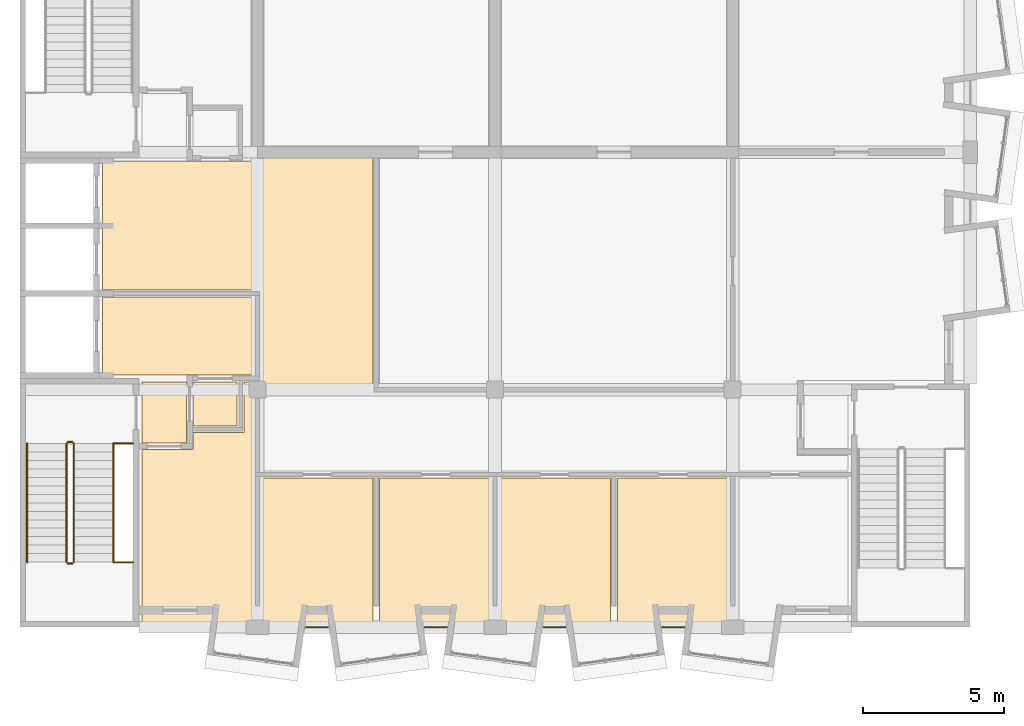
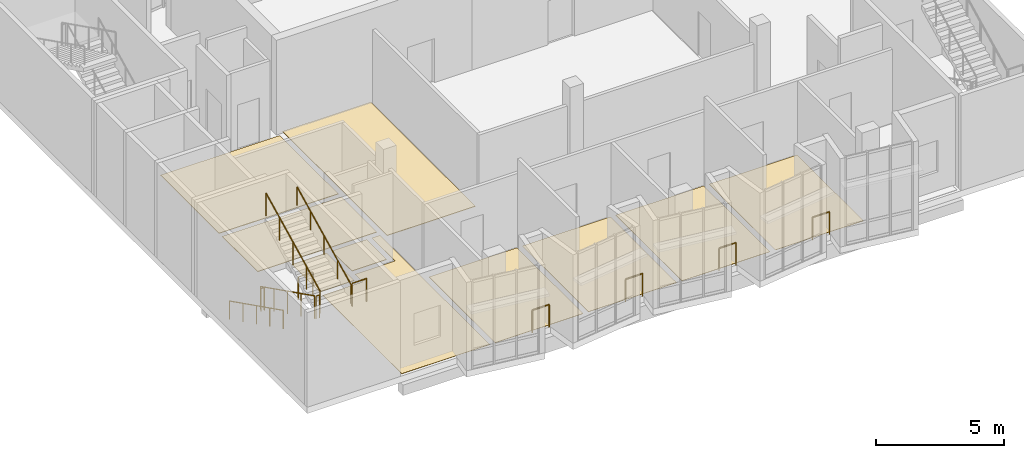
# One storey, part 15 of 19: 12 railings, 10 coverings.
"""IFC4 building model written with IfcOpenShell, lengths in metres."""

from ifc_helpers import new_model, si_unit, direction, frame, origin, origin_2d, place, context, subcontext, project, spatial, polyline, circle, outline, extrude, material, layer, layer_set, type_object, element, save


model = new_model("IFC4")

# Units and contexts
model_context = context("Model", 3, precision=1e-05, world=origin(), true_north=direction((0.0, 1.0)))
body_context = subcontext(model_context, "Body", "Model", "MODEL_VIEW")
ifc_project = project(units=[si_unit("LENGTHUNIT", "METRE"), si_unit("AREAUNIT", "SQUARE_METRE"), si_unit("VOLUMEUNIT", "CUBIC_METRE"), si_unit("PLANEANGLEUNIT", "RADIAN"), si_unit("MASSUNIT", "GRAM", prefix="KILO")], contexts=[model_context])

# Site, building, storey
site_placement = place(None, origin())
site = spatial("IfcSite", under=ifc_project, at=site_placement, CompositionType="ELEMENT")
building_placement = place(site_placement, origin())
building = spatial("IfcBuilding", under=site, at=building_placement, Name="Kiln Court Media Centre", CompositionType="ELEMENT")
storey_placement = place(building_placement, frame((0.0, 0.0, 29.10009765625)))
storey = spatial("IfcBuildingStorey", under=building, at=storey_placement, Name="L06", CompositionType="ELEMENT", Elevation=29.10009765625)

# Coverings
ifc_material_1 = material(Name="Carpet tile")
ifc_layer_1 = layer(ifc_material_1, 0.014892578125)
ifc_layer_set_1 = layer_set([ifc_layer_1], Name="Carpet tile floor finish 15")
covering_type_1 = type_object("IfcCoveringType", Name="Carpet tile floor finish 15", PredefinedType="FLOORING", material=ifc_layer_set_1)
covering_1_placement = place(storey_placement, origin())
element("IfcCovering", 1, at=covering_1_placement, inside=storey, type_object=covering_type_1, Name="Editing Suite 5 floor finish", PredefinedType="FLOORING", context=body_context, shape_type="SweptSolid", body=[
    extrude(outline(polyline([(8.52001953125, 0.1201171875), (12.47998046875, 0.1201171875), (12.47998046875, 5.280029296875), (8.52001953125, 5.280029296875), (8.52001953125, 0.1201171875)])), origin(), (0.0, 0.0, 1.0), 0.014892578125),
])
covering_2_placement = place(storey_placement, origin())
element("IfcCovering", 2, at=covering_2_placement, inside=storey, type_object=covering_type_1, Name="Editing Suite 6 floor finish", PredefinedType="FLOORING", context=body_context, shape_type="SweptSolid", body=[
    extrude(outline(polyline([(12.719970703125, 0.1201171875), (16.679931640625, 0.1201171875), (16.679931640625, 5.280029296875), (12.719970703125, 5.280029296875), (12.719970703125, 0.1201171875)])), origin(), (0.0, 0.0, 1.0), 0.014892578125),
])
covering_3_placement = place(storey_placement, origin())
element("IfcCovering", 3, at=covering_3_placement, inside=storey, type_object=covering_type_1, Name="Editing Suite 7 floor finish", PredefinedType="FLOORING", context=body_context, shape_type="SweptSolid", body=[
    extrude(outline(polyline([(16.919921875, 0.1201171875), (20.8798828125, 0.1201171875), (20.8798828125, 5.280029296875), (16.919921875, 5.280029296875), (16.919921875, 0.1201171875)])), origin(), (0.0, 0.0, 1.0), 0.014892578125),
])
covering_4_placement = place(storey_placement, origin())
element("IfcCovering", 4, at=covering_4_placement, inside=storey, type_object=covering_type_1, Name="Editing Suite 8 floor finish", PredefinedType="FLOORING", context=body_context, shape_type="SweptSolid", body=[
    extrude(outline(polyline([(21.1201171875, 0.1201171875), (25.080078125, 0.1201171875), (25.080078125, 5.280029296875), (21.1201171875, 5.280029296875), (21.1201171875, 0.1201171875)])), origin(), (0.0, 0.0, 1.0), 0.014892578125),
])
ifc_material_2 = material(Name="Ceramic tile")
ifc_layer_2 = layer(ifc_material_2, 0.011962890625)
ifc_layer_set_2 = layer_set([ifc_layer_2], Name="Ceramic tile floor finish 12")
covering_type_2 = type_object("IfcCoveringType", Name="Ceramic tile floor finish 12", PredefinedType="FLOORING", material=ifc_layer_set_2)
covering_5_placement = place(storey_placement, origin())
element("IfcCovering", 5, at=covering_5_placement, inside=storey, type_object=covering_type_2, Name="Toilets and Accessible WC floor finish", PredefinedType="FLOORING", context=body_context, shape_type="SweptSolid", body=[
    extrude(outline(polyline([(8.280029296875, 8.679931640625), (7.919921875, 8.679931640625), (7.919921875, 6.8798828125), (6.1201171875, 6.8798828125), (6.1201171875, 6.280029296875), (4.320068359375, 6.280029296875), (4.320068359375, 0.1201171875), (8.280029296875, 0.1201171875), (8.280029296875, 8.679931640625)])), origin(), (0.0, 0.0, 1.0), 0.011962890625),
])
ifc_material_3 = material(Name="Terrazzo")
ifc_layer_3 = layer(ifc_material_3, 0.02490234375)
ifc_layer_set_3 = layer_set([ifc_layer_3], Name="Polished terrazzo floor finish 25")
covering_type_3 = type_object("IfcCoveringType", Name="Polished terrazzo floor finish 25", PredefinedType="FLOORING", material=ifc_layer_set_3)
covering_6_placement = place(storey_placement, origin())
element("IfcCovering", 6, at=covering_6_placement, inside=storey, type_object=covering_type_3, Name="Stair 1 Vestibule floor finish", PredefinedType="FLOORING", context=body_context, shape_type="SweptSolid", body=[
    extrude(outline(polyline([(4.320068359375, 6.52001953125), (5.8798828125, 6.52001953125), (5.8798828125, 8.679931640625), (4.320068359375, 8.679931640625), (4.320068359375, 6.52001953125)])), origin(), (0.0, 0.0, 1.0), 0.02490234375),
])
covering_7_placement = place(storey_placement, origin())
element("IfcCovering", 7, at=covering_7_placement, inside=storey, type_object=covering_type_3, Name="Wheelchair Refuge floor finish", PredefinedType="FLOORING", context=body_context, shape_type="SweptSolid", body=[
    extrude(outline(polyline([(6.1201171875, 7.1201171875), (7.679931640625, 7.1201171875), (7.679931640625, 8.679931640625), (6.1201171875, 8.679931640625), (6.1201171875, 7.1201171875)])), origin(), (0.0, 0.0, 1.0), 0.02490234375),
])
covering_8_placement = place(storey_placement, origin())
element("IfcCovering", 8, at=covering_8_placement, inside=storey, type_object=covering_type_3, Name="Production Corridor floor finish", PredefinedType="FLOORING", context=body_context, shape_type="SweptSolid", body=[
    extrude(outline(polyline([(8.52001953125, 8.52001953125), (12.47998046875, 8.52001953125), (12.47998046875, 16.679931640625), (8.52001953125, 16.679931640625), (8.52001953125, 8.52001953125)])), origin(), (0.0, 0.0, 1.0), 0.02490234375),
])
covering_9_placement = place(storey_placement, origin())
element("IfcCovering", 9, at=covering_9_placement, inside=storey, type_object=covering_type_3, Name="Fire-fighting Lift Lobby floor finish", PredefinedType="FLOORING", context=body_context, shape_type="SweptSolid", body=[
    extrude(outline(polyline([(2.919921875, 8.919921875), (8.280029296875, 8.919921875), (8.280029296875, 11.679931640625), (2.919921875, 11.679931640625), (2.919921875, 8.919921875)])), origin(), (0.0, 0.0, 1.0), 0.02490234375),
])
covering_10_placement = place(storey_placement, origin())
element("IfcCovering", 10, at=covering_10_placement, inside=storey, type_object=covering_type_3, Name="Passenger Lift Lobby floor finish", PredefinedType="FLOORING", context=body_context, shape_type="SweptSolid", body=[
    extrude(outline(polyline([(2.919921875, 11.919921875), (8.280029296875, 11.919921875), (8.280029296875, 16.47998046875), (2.919921875, 16.47998046875), (2.919921875, 11.919921875)])), origin(), (0.0, 0.0, 1.0), 0.02490234375),
])

# Railings
ifc_material_4 = material(Name="Steel S275", Category="steel")
railing_type_1 = type_object("IfcRailingType", Name="Steel S275 balustrade guard 1100", PredefinedType="GUARDRAIL", material=ifc_material_4)
for number, where, name in (
    (11, (23.482421875, 0.0, 0.0), "L06 slab notch guard"),
    (12, (19.2822265625, 0.0, 0.0), "L06 slab notch guard"),
    (13, (15.082275390625, 0.0, 0.0), "L06 slab notch guard"),
    (14, (10.88232421875, 0.0, 0.0), "L06 slab notch guard"),
):
    element("IfcRailing", number, at=place(storey_placement, frame(where)), inside=storey, type_object=railing_type_1, Name=name, PredefinedType="GUARDRAIL", context=body_context, shape_type="SweptSolid", body=[
        extrude(circle(Radius=0.02392578125, at=origin_2d()), frame((0.0, 0.0, 1.076171875), z_axis=(-1.0, 0.0, 0.0), x_axis=(0.0, -1.0, 0.0)), (0.0, 0.0, 1.0), 0.7646484375),
        extrude(circle(Radius=0.02099609375, at=origin_2d()), origin(), (0.0, 0.0, 1.0), 1.052001953125),
        extrude(circle(Radius=0.02099609375, at=origin_2d()), frame((-0.7646484375, 0.0, 0.0)), (0.0, 0.0, 1.0), 1.052001953125),
    ])
ifc_material_5 = material(Name="Steel S275", Category="steel")
railing_type_2 = type_object("IfcRailingType", Name="Steel S275 stair guard 1100", PredefinedType="GUARDRAIL", material=ifc_material_5)
railing_1_placement = place(storey_placement, frame((1.64990234375, 6.5, 0.14990234375)))
element("IfcRailing", 15, at=railing_1_placement, inside=storey, type_object=railing_type_2, Name="ST-01 stair guard", PredefinedType="GUARDRAIL", context=body_context, shape_type="SweptSolid", body=[
    extrude(circle(Radius=0.02392578125, at=origin_2d()), frame((0.0, 0.0, 1.076171875), z_axis=(0.0, -0.894416792377, 0.447234392142), x_axis=(1.0, 0.0, 0.0)), (0.0, 0.0, 1.0), 4.69580078125),
    extrude(circle(Radius=0.02099609375, at=origin_2d()), origin(), (0.0, 0.0, 1.0), 1.052001953125),
    extrude(circle(Radius=0.02099609375, at=origin_2d()), frame((0.0, -1.050048828125, 0.52490234375)), (0.0, 0.0, 1.0), 1.052001953125),
    extrude(circle(Radius=0.02099609375, at=origin_2d()), frame((0.0, -2.10009765625, 1.050048828125)), (0.0, 0.0, 1.0), 1.052001953125),
    extrude(circle(Radius=0.02099609375, at=origin_2d()), frame((0.0, -3.14990234375, 1.5751953125)), (0.0, 0.0, 1.0), 1.052001953125),
    extrude(circle(Radius=0.02099609375, at=origin_2d()), frame((0.0, -4.199951171875, 2.10009765625)), (0.0, 0.0, 1.0), 1.052001953125),
])
railing_2_placement = place(storey_placement, frame((1.699951171875, 2.25, 2.25)))
element("IfcRailing", 16, at=railing_2_placement, inside=storey, type_object=railing_type_2, Name="ST-01 stair guard", PredefinedType="GUARDRAIL", context=body_context, shape_type="SweptSolid", body=[
    extrude(circle(Radius=0.02392578125, at=origin_2d()), frame((0.0, 0.0, 1.076171875), z_axis=(1.0, 0.0, 0.0), x_axis=(0.0, 1.0, 0.0)), (0.0, 0.0, 1.0), 0.150146484375),
    extrude(circle(Radius=0.02099609375, at=origin_2d()), origin(), (0.0, 0.0, 1.0), 1.052001953125),
    extrude(circle(Radius=0.02099609375, at=origin_2d()), frame((0.150146484375, 0.0, 0.0)), (0.0, 0.0, 1.0), 1.052001953125),
])
railing_3_placement = place(storey_placement, frame((1.89990234375, 2.300048828125, 2.39990234375)))
element("IfcRailing", 17, at=railing_3_placement, inside=storey, type_object=railing_type_2, Name="ST-01 stair guard", PredefinedType="GUARDRAIL", context=body_context, shape_type="SweptSolid", body=[
    extrude(circle(Radius=0.02392578125, at=origin_2d()), frame((0.0, 0.0, 1.076171875), z_axis=(0.0, 0.894416792377, 0.447234392142), x_axis=(-1.0, 0.0, 0.0)), (0.0, 0.0, 1.0), 4.69580078125),
    extrude(circle(Radius=0.02099609375, at=origin_2d()), origin(), (0.0, 0.0, 1.0), 1.052001953125),
    extrude(circle(Radius=0.02099609375, at=origin_2d()), frame((0.0, 1.050048828125, 0.52490234375)), (0.0, 0.0, 1.0), 1.052001953125),
    extrude(circle(Radius=0.02099609375, at=origin_2d()), frame((0.0, 2.10009765625, 1.050048828125)), (0.0, 0.0, 1.0), 1.052001953125),
    extrude(circle(Radius=0.02099609375, at=origin_2d()), frame((0.0, 3.14990234375, 1.5751953125)), (0.0, 0.0, 1.0), 1.052001953125),
    extrude(circle(Radius=0.02099609375, at=origin_2d()), frame((0.0, 4.199951171875, 2.10009765625)), (0.0, 0.0, 1.0), 1.052001953125),
])
railing_4_placement = place(storey_placement, frame((1.699951171875, 6.550048828125, 0.0)))
element("IfcRailing", 18, at=railing_4_placement, inside=storey, type_object=railing_type_2, Name="ST-01 stair guard", PredefinedType="GUARDRAIL", context=body_context, shape_type="SweptSolid", body=[
    extrude(circle(Radius=0.02392578125, at=origin_2d()), frame((0.0, 0.0, 1.076171875), z_axis=(1.0, 0.0, 0.0), x_axis=(0.0, 1.0, 0.0)), (0.0, 0.0, 1.0), 0.150146484375),
    extrude(circle(Radius=0.02099609375, at=origin_2d()), origin(), (0.0, 0.0, 1.0), 1.052001953125),
    extrude(circle(Radius=0.02099609375, at=origin_2d()), frame((0.150146484375, 0.0, 0.0)), (0.0, 0.0, 1.0), 1.052001953125),
])
for number, where, name in (
    (19, (3.35009765625, 2.300048828125, 2.25), "ST-01 landing edge guard"),
    (20, (3.35009765625, 6.5, 0.0), "ST-01 landing edge guard"),
):
    element("IfcRailing", number, at=place(storey_placement, frame(where)), inside=storey, type_object=railing_type_2, Name=name, PredefinedType="GUARDRAIL", context=body_context, shape_type="SweptSolid", body=[
        extrude(circle(Radius=0.02392578125, at=origin_2d()), frame((0.0, 0.0, 1.076171875), z_axis=(1.0, 0.0, 0.0), x_axis=(0.0, 1.0, 0.0)), (0.0, 0.0, 1.0), 0.64990234375),
        extrude(circle(Radius=0.02099609375, at=origin_2d()), origin(), (0.0, 0.0, 1.0), 1.052001953125),
        extrude(circle(Radius=0.02099609375, at=origin_2d()), frame((0.64990234375, 0.0, 0.0)), (0.0, 0.0, 1.0), 1.052001953125),
    ])
ifc_material_6 = material(Name="Steel S275", Category="steel")
railing_type_3 = type_object("IfcRailingType", Name="Steel S275 stair handrail 900", PredefinedType="HANDRAIL", material=ifc_material_6)
railing_5_placement = place(storey_placement, frame((0.25, 6.5, 0.14990234375)))
element("IfcRailing", 21, at=railing_5_placement, inside=storey, type_object=railing_type_3, Name="ST-01 stair handrail", PredefinedType="HANDRAIL", context=body_context, shape_type="SweptSolid", body=[
    extrude(circle(Radius=0.02392578125, at=origin_2d()), frame((0.0, 0.0, 0.8759765625), z_axis=(0.0, -0.894416792377, 0.447234392142), x_axis=(1.0, 0.0, 0.0)), (0.0, 0.0, 1.0), 4.69580078125),
    extrude(circle(Radius=0.02099609375, at=origin_2d()), origin(), (0.0, 0.0, 1.0), 0.851806640625),
    extrude(circle(Radius=0.02099609375, at=origin_2d()), frame((0.0, -1.050048828125, 0.52490234375)), (0.0, 0.0, 1.0), 0.851806640625),
    extrude(circle(Radius=0.02099609375, at=origin_2d()), frame((0.0, -2.10009765625, 1.050048828125)), (0.0, 0.0, 1.0), 0.851806640625),
    extrude(circle(Radius=0.02099609375, at=origin_2d()), frame((0.0, -3.14990234375, 1.5751953125)), (0.0, 0.0, 1.0), 0.851806640625),
    extrude(circle(Radius=0.02099609375, at=origin_2d()), frame((0.0, -4.199951171875, 2.10009765625)), (0.0, 0.0, 1.0), 0.851806640625),
])
railing_6_placement = place(storey_placement, frame((3.300048828125, 2.300048828125, 2.39990234375)))
element("IfcRailing", 22, at=railing_6_placement, inside=storey, type_object=railing_type_3, Name="ST-01 stair handrail", PredefinedType="HANDRAIL", context=body_context, shape_type="SweptSolid", body=[
    extrude(circle(Radius=0.02392578125, at=origin_2d()), frame((0.0, 0.0, 0.8759765625), z_axis=(0.0, 0.894416792377, 0.447234392142), x_axis=(-1.0, 0.0, 0.0)), (0.0, 0.0, 1.0), 4.69580078125),
    extrude(circle(Radius=0.02099609375, at=origin_2d()), origin(), (0.0, 0.0, 1.0), 0.851806640625),
    extrude(circle(Radius=0.02099609375, at=origin_2d()), frame((0.0, 1.050048828125, 0.52490234375)), (0.0, 0.0, 1.0), 0.851806640625),
    extrude(circle(Radius=0.02099609375, at=origin_2d()), frame((0.0, 2.10009765625, 1.050048828125)), (0.0, 0.0, 1.0), 0.851806640625),
    extrude(circle(Radius=0.02099609375, at=origin_2d()), frame((0.0, 3.14990234375, 1.5751953125)), (0.0, 0.0, 1.0), 0.851806640625),
    extrude(circle(Radius=0.02099609375, at=origin_2d()), frame((0.0, 4.199951171875, 2.10009765625)), (0.0, 0.0, 1.0), 0.851806640625),
])

save(model, "model.ifc")
